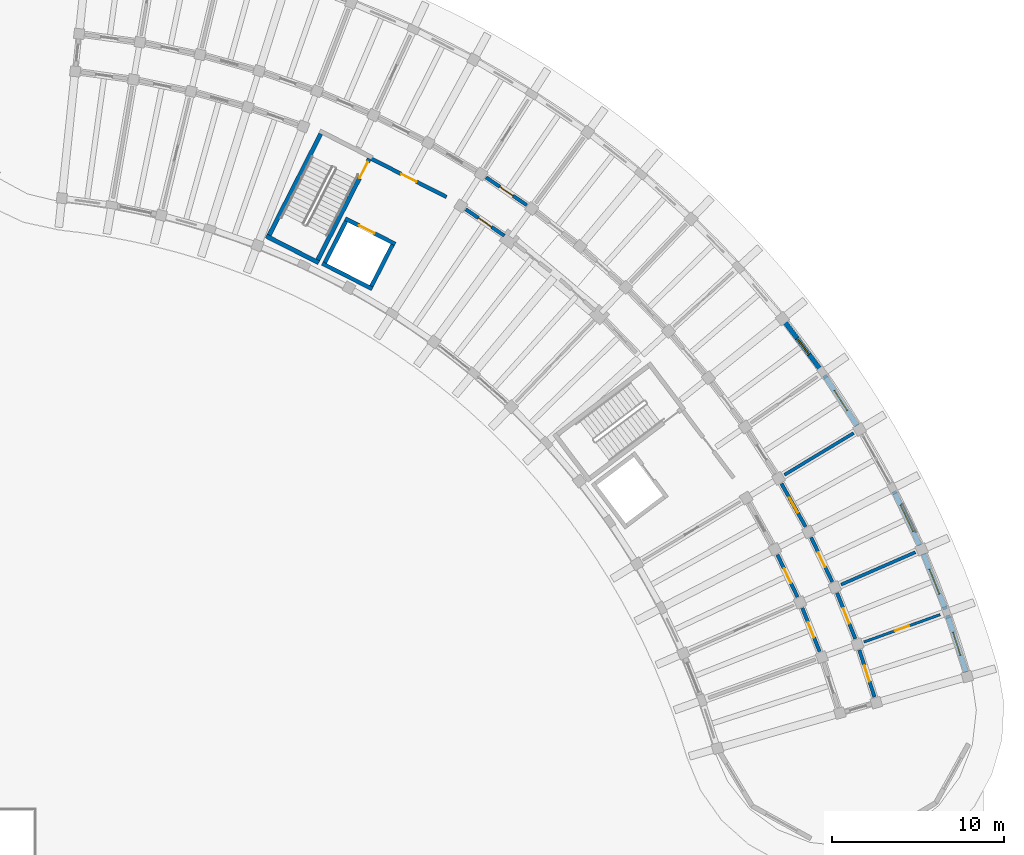
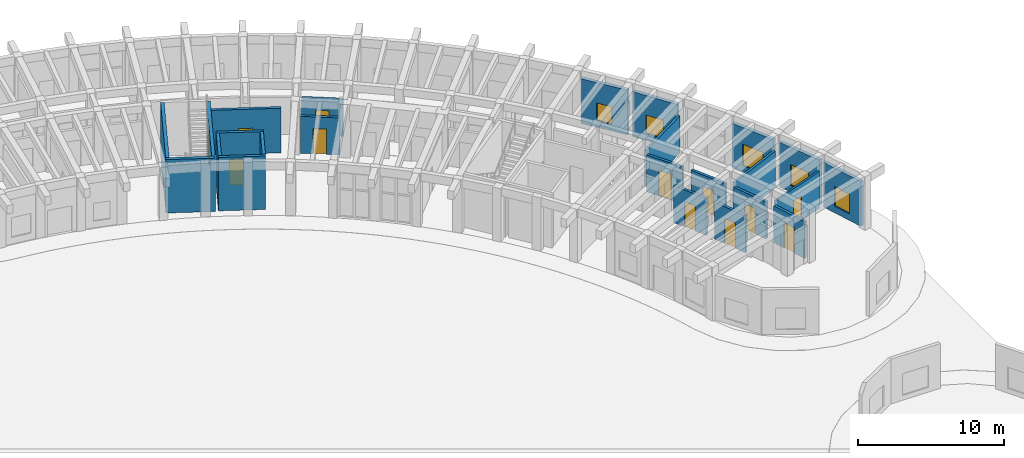
# One storey, part 106 of 132: 24 walls, 12 doors, 5 windows, 17 openings.
"""IFC4 building model written with IfcOpenShell, lengths in metres."""

from ifc_helpers import new_model, si_unit, direction, frame, frame_2d, origin, place, context, subcontext, project, spatial, rectangle, extrude, material, layer, layer_set, type_object, element, fill, save


model = new_model("IFC4")

# Units and contexts
model_context = context("Model", 3, precision=1e-05, world=origin(), true_north=direction((0.0, 1.0)))
body_context = subcontext(model_context, "Body", "Model", "MODEL_VIEW")
ifc_project = project(units=[si_unit("LENGTHUNIT", "METRE"), si_unit("AREAUNIT", "SQUARE_METRE"), si_unit("VOLUMEUNIT", "CUBIC_METRE"), si_unit("PLANEANGLEUNIT", "RADIAN"), si_unit("MASSUNIT", "GRAM", prefix="KILO")], contexts=[model_context])

# Site, building, storey
site_placement = place(None, origin())
site = spatial("IfcSite", under=ifc_project, at=site_placement, CompositionType="ELEMENT")
building_placement = place(site_placement, origin())
building = spatial("IfcBuilding", under=site, at=building_placement, Name="Tanwirah Colonnade Gardens", CompositionType="ELEMENT")
storey_placement = place(building_placement, origin())
storey = spatial("IfcBuildingStorey", under=building, at=storey_placement, Name="L00", CompositionType="ELEMENT", Elevation=0.0)

# Wall, opening, window
ifc_material_1 = material(Name="Limestone architectural precast concrete C40/50", Category="masonry")
ifc_layer_1 = layer(ifc_material_1, 0.27001953125)
ifc_layer_set_1 = layer_set([ifc_layer_1], Name="Limestone architectural precast concrete C40/50")
wall_type_1 = type_object("IfcWallType", Name="EW-PC270", PredefinedType="SOLIDWALL", material=ifc_layer_set_1)
wall_1_placement = place(storey_placement, frame((178.16015625, 76.87109375, 0.0), z_axis=(0.0, 0.0, 1.0), x_axis=(-0.307173119512, 0.951653652675, 0.0)))
wall_1 = element("IfcWall", 1, at=wall_1_placement, inside=storey, type_object=wall_type_1, Name="Block B L00 OUT Precast Facade Wall 0", PredefinedType="SOLIDWALL", context=body_context, shape_type="SweptSolid", body=[
    extrude(rectangle(XDim=3.4755859375, YDim=0.27001953125, at=frame_2d((1.73779296875, 0.0))), origin(), (0.0, 0.0, 1.0), 3.7548828125),
])
opening_1_placement = place(wall_1_placement, frame((1.037841796875, 0.0, 0.550048828125)))
opening_1 = element("IfcOpeningElement", 2, at=opening_1_placement, cuts=wall_1, Name="Opening WIN-T06", PredefinedType="OPENING", context=body_context, shape_type="SweptSolid", body=[
    extrude(rectangle(XDim=1.39990234375, YDim=1.64990234375, at=frame_2d((0.699951171875, 0.824951171875))), frame((0.0, 0.14501953125, 0.0), z_axis=(0.0, -1.0, 0.0), x_axis=(1.0, 0.0, 0.0)), (0.0, 0.0, 1.0), 0.2900390625),
])
ifc_material_2 = material(Name="Thermally broken bronze aluminium and solar low-E double glazing", Category="aluminium")
window_type_1 = type_object("IfcWindowType", Name="WIN-T06", PartitioningType="DOUBLE_PANEL_VERTICAL", PredefinedType="WINDOW", material=ifc_material_2)
window_1_placement = place(opening_1_placement, origin())
window_1 = element("IfcWindow", 3, at=window_1_placement, inside=storey, type_object=window_type_1, Name="Facade window B-L00-OUT-00", OverallHeight=1.64990234375, OverallWidth=1.39990234375, PartitioningType="SINGLE_PANEL", PredefinedType="WINDOW", context=body_context, shape_type="SweptSolid", body=[
    extrude(rectangle(XDim=1.39990234375, YDim=1.64990234375, at=frame_2d((0.699951171875, 0.824951171875))), frame((0.0, 0.030029296875, 0.0), z_axis=(0.0, -1.0, 0.0), x_axis=(1.0, 0.0, 0.0)), (0.0, 0.0, 1.0), 0.06005859375),
])
fill(opening_1, window_1)

wall_2_placement = place(storey_placement, frame((176.970703125, 80.517333984375, 0.0), z_axis=(0.0, 0.0, 1.0), x_axis=(-0.369185522755, 0.929355717574, 0.0)))
wall_2 = element("IfcWall", 4, at=wall_2_placement, inside=storey, type_object=wall_type_1, Name="Block B L00 OUT Precast Facade Wall 1", PredefinedType="SOLIDWALL", context=body_context, shape_type="SweptSolid", body=[
    extrude(rectangle(XDim=3.475830078125, YDim=0.27001953125, at=frame_2d((1.73779296875, 0.0))), origin(), (0.0, 0.0, 1.0), 3.7548828125),
])
opening_2_placement = place(wall_2_placement, frame((0.962890625, 0.0, 0.550048828125)))
opening_2 = element("IfcOpeningElement", 5, at=opening_2_placement, cuts=wall_2, Name="Opening WIN-T09", PredefinedType="OPENING", context=body_context, shape_type="SweptSolid", body=[
    extrude(rectangle(XDim=1.550048828125, YDim=1.75, at=frame_2d((0.77490234375, 0.875))), frame((0.0, 0.14501953125, 0.0), z_axis=(0.0, -1.0, 0.0), x_axis=(1.0, 0.0, 0.0)), (0.0, 0.0, 1.0), 0.2900390625),
])
window_type_2 = type_object("IfcWindowType", Name="WIN-T09", PartitioningType="DOUBLE_PANEL_VERTICAL", PredefinedType="WINDOW", material=ifc_material_2)
window_2_placement = place(opening_2_placement, origin())
window_2 = element("IfcWindow", 6, at=window_2_placement, inside=storey, type_object=window_type_2, Name="Facade window B-L00-OUT-01", OverallHeight=1.75, OverallWidth=1.550048828125, PartitioningType="SINGLE_PANEL", PredefinedType="WINDOW", context=body_context, shape_type="SweptSolid", body=[
    extrude(rectangle(XDim=1.550048828125, YDim=1.75, at=frame_2d((0.77490234375, 0.875))), frame((0.0, 0.030029296875, 0.0), z_axis=(0.0, -1.0, 0.0), x_axis=(1.0, 0.0, 0.0)), (0.0, 0.0, 1.0), 0.06005859375),
])
fill(opening_2, window_2)

wall_3_placement = place(storey_placement, frame((175.471923828125, 84.2421875, 0.0), z_axis=(0.0, 0.0, 1.0), x_axis=(-0.429652732924, 0.902994202136, 0.0)))
wall_3 = element("IfcWall", 7, at=wall_3_placement, inside=storey, type_object=wall_type_1, Name="Block B L00 OUT Precast Facade Wall 2", PredefinedType="SOLIDWALL", context=body_context, shape_type="SweptSolid", body=[
    extrude(rectangle(XDim=3.475830078125, YDim=0.27001953125, at=frame_2d((1.73779296875, 0.0))), origin(), (0.0, 0.0, 1.0), 3.7548828125),
])
opening_3_placement = place(wall_3_placement, frame((0.8876953125, 0.0, 0.550048828125)))
opening_3 = element("IfcOpeningElement", 8, at=opening_3_placement, cuts=wall_3, Name="Opening WIN-T12", PredefinedType="OPENING", context=body_context, shape_type="SweptSolid", body=[
    extrude(rectangle(XDim=1.699951171875, YDim=1.800048828125, at=frame_2d((0.85009765625, 0.89990234375))), frame((0.0, 0.14501953125, 0.0), z_axis=(0.0, -1.0, 0.0), x_axis=(1.0, 0.0, 0.0)), (0.0, 0.0, 1.0), 0.2900390625),
])
window_type_3 = type_object("IfcWindowType", Name="WIN-T12", PartitioningType="TRIPLE_PANEL_VERTICAL", PredefinedType="WINDOW", material=ifc_material_2)
window_3_placement = place(opening_3_placement, origin())
window_3 = element("IfcWindow", 9, at=window_3_placement, inside=storey, type_object=window_type_3, Name="Facade window B-L00-OUT-02", OverallHeight=1.800048828125, OverallWidth=1.699951171875, PartitioningType="SINGLE_PANEL", PredefinedType="WINDOW", context=body_context, shape_type="SweptSolid", body=[
    extrude(rectangle(XDim=1.699951171875, YDim=1.800048828125, at=frame_2d((0.85009765625, 0.89990234375))), frame((0.0, 0.030029296875, 0.0), z_axis=(0.0, -1.0, 0.0), x_axis=(1.0, 0.0, 0.0)), (0.0, 0.0, 1.0), 0.06005859375),
])
fill(opening_3, window_3)

wall_4_placement = place(storey_placement, frame((171.837646484375, 91.19580078125, 0.0), z_axis=(0.0, 0.0, 1.0), x_axis=(-0.544642658217, 0.838668215, 0.0)))
wall_4 = element("IfcWall", 10, at=wall_4_placement, inside=storey, type_object=wall_type_1, Name="Block B L00 OUT Precast Facade Wall 4", PredefinedType="SOLIDWALL", context=body_context, shape_type="SweptSolid", body=[
    extrude(rectangle(XDim=3.475830078125, YDim=0.27001953125, at=frame_2d((1.73779296875, 0.0))), origin(), (0.0, 0.0, 1.0), 3.7548828125),
])
opening_4_placement = place(wall_4_placement, frame((1.0478515625, 0.0, 0.550048828125)))
opening_4 = element("IfcOpeningElement", 11, at=opening_4_placement, cuts=wall_4, Name="Opening WIN-T18", PredefinedType="OPENING", context=body_context, shape_type="SweptSolid", body=[
    extrude(rectangle(XDim=1.3798828125, YDim=1.56005859375, at=frame_2d((0.68994140625, 0.780029296875))), frame((0.0, 0.14501953125, 0.0), z_axis=(0.0, -1.0, 0.0), x_axis=(1.0, 0.0, 0.0)), (0.0, 0.0, 1.0), 0.2900390625),
])
window_type_4 = type_object("IfcWindowType", Name="WIN-T18", PartitioningType="DOUBLE_PANEL_VERTICAL", PredefinedType="WINDOW", material=ifc_material_2)
window_4_placement = place(opening_4_placement, origin())
window_4 = element("IfcWindow", 12, at=window_4_placement, inside=storey, type_object=window_type_4, Name="Facade window B-L00-OUT-04", OverallHeight=1.56005859375, OverallWidth=1.3798828125, PartitioningType="SINGLE_PANEL", PredefinedType="WINDOW", context=body_context, shape_type="SweptSolid", body=[
    extrude(rectangle(XDim=1.3798828125, YDim=1.56005859375, at=frame_2d((0.68994140625, 0.780029296875))), frame((0.0, 0.030029296875, 0.0), z_axis=(0.0, -1.0, 0.0), x_axis=(1.0, 0.0, 0.0)), (0.0, 0.0, 1.0), 0.06005859375),
])
fill(opening_4, window_4)

wall_5_placement = place(storey_placement, frame((169.73876953125, 94.406005859375, 0.0), z_axis=(0.0, 0.0, 1.0), x_axis=(-0.598684233613, 0.800985136206, 0.0)))
wall_5 = element("IfcWall", 13, at=wall_5_placement, inside=storey, type_object=wall_type_1, Name="Block B L00 OUT Precast Facade Wall 5", PredefinedType="SOLIDWALL", context=body_context, shape_type="SweptSolid", body=[
    extrude(rectangle(XDim=3.4755859375, YDim=0.27001953125, at=frame_2d((1.73779296875, 0.0))), origin(), (0.0, 0.0, 1.0), 3.7548828125),
])
opening_5_placement = place(wall_5_placement, frame((1.15771484375, 0.0, 0.550048828125)))
opening_5 = element("IfcOpeningElement", 14, at=opening_5_placement, cuts=wall_5, Name="Opening WIN-U01", PredefinedType="OPENING", context=body_context, shape_type="SweptSolid", body=[
    extrude(rectangle(XDim=1.159912109375, YDim=1.485107421875, at=frame_2d((0.580078125, 0.74267578125))), frame((0.0, 0.14501953125, 0.0), z_axis=(0.0, -1.0, 0.0), x_axis=(1.0, 0.0, 0.0)), (0.0, 0.0, 1.0), 0.2900390625),
])
window_type_5 = type_object("IfcWindowType", Name="WIN-U01", PartitioningType="DOUBLE_PANEL_VERTICAL", PredefinedType="WINDOW", material=ifc_material_2)
window_5_placement = place(opening_5_placement, origin())
window_5 = element("IfcWindow", 15, at=window_5_placement, inside=storey, type_object=window_type_5, Name="Facade window B-L00-OUT-05", OverallHeight=1.485107421875, OverallWidth=1.159912109375, PartitioningType="SINGLE_PANEL", PredefinedType="WINDOW", context=body_context, shape_type="SweptSolid", body=[
    extrude(rectangle(XDim=1.159912109375, YDim=1.485107421875, at=frame_2d((0.580078125, 0.74267578125))), frame((0.0, 0.030029296875, 0.0), z_axis=(0.0, -1.0, 0.0), x_axis=(1.0, 0.0, 0.0)), (0.0, 0.0, 1.0), 0.06005859375),
])
fill(opening_5, window_5)

# Wall, opening, door
ifc_material_3 = material(Name="Precast concrete C40/50", Category="concrete")
ifc_layer_2 = layer(ifc_material_3, 0.205078125)
ifc_layer_set_2 = layer_set([ifc_layer_2], Name="Precast concrete C40/50")
wall_type_2 = type_object("IfcWallType", Name="IW-CORR205", PredefinedType="PARTITIONING", material=ifc_layer_set_2)
wall_6_placement = place(storey_placement, frame((172.8486328125, 75.431396484375, 0.0), z_axis=(0.0, 0.0, 1.0), x_axis=(-0.307157249761, 0.951658774939, 0.0)))
wall_6 = element("IfcWall", 16, at=wall_6_placement, inside=storey, type_object=wall_type_2, Name="Block B L00 OUT Corridor Wall 0", PredefinedType="PARTITIONING", context=body_context, shape_type="SweptSolid", body=[
    extrude(rectangle(XDim=2.863037109375, YDim=0.205078125, at=frame_2d((1.431640625, 0.0))), origin(), (0.0, 0.0, 1.0), 3.10009765625),
])
opening_6_placement = place(wall_6_placement, frame((0.946533203125, 0.0, 0.0)))
opening_6 = element("IfcOpeningElement", 17, at=opening_6_placement, cuts=wall_6, Name="Opening L00-AD792", PredefinedType="OPENING", context=body_context, shape_type="SweptSolid", body=[
    extrude(rectangle(XDim=0.969970703125, YDim=2.14990234375, at=frame_2d((0.48486328125, 1.074951171875))), frame((0.0, 0.112548828125, 0.0), z_axis=(0.0, -1.0, 0.0), x_axis=(1.0, 0.0, 0.0)), (0.0, 0.0, 1.0), 0.22509765625),
])
ifc_material_4 = material(Name="Solid oak fire-resisting apartment entrance door")
door_type_1 = type_object("IfcDoorType", Name="ID-FLT097", OperationType="NOTDEFINED", PredefinedType="DOOR", material=ifc_material_4)
door_1_placement = place(opening_6_placement, origin())
door_1 = element("IfcDoor", 18, at=door_1_placement, inside=storey, type_object=door_type_1, Name="Apartment corridor door L00-AD792", OperationType="SINGLE_SWING_LEFT", OverallHeight=2.14990234375, OverallWidth=0.969970703125, PredefinedType="DOOR", context=body_context, shape_type="SweptSolid", body=[
    extrude(rectangle(XDim=0.969970703125, YDim=2.14990234375, at=frame_2d((0.48486328125, 1.074951171875))), frame((0.0, 0.02490234375, 0.0), z_axis=(0.0, -1.0, 0.0), x_axis=(1.0, 0.0, 0.0)), (0.0, 0.0, 1.0), 0.050048828125),
])
fill(opening_6, door_1)

wall_7_placement = place(storey_placement, frame((171.732421875, 78.814208984375, 0.0), z_axis=(0.0, 0.0, 1.0), x_axis=(-0.369213832442, 0.929344471083, 0.0)))
wall_7 = element("IfcWall", 19, at=wall_7_placement, inside=storey, type_object=wall_type_2, Name="Block B L00 OUT Corridor Wall 1", PredefinedType="PARTITIONING", context=body_context, shape_type="SweptSolid", body=[
    extrude(rectangle(XDim=2.86328125, YDim=0.205078125, at=frame_2d((1.431640625, 0.0))), origin(), (0.0, 0.0, 1.0), 3.10009765625),
])
opening_7_placement = place(wall_7_placement, frame((0.95654296875, 0.0, 0.0)))
opening_7 = element("IfcOpeningElement", 20, at=opening_7_placement, cuts=wall_7, Name="Opening L00-AD795", PredefinedType="OPENING", context=body_context, shape_type="SweptSolid", body=[
    extrude(rectangle(XDim=0.949951171875, YDim=2.1298828125, at=frame_2d((0.47509765625, 1.06494140625))), frame((0.0, 0.112548828125, 0.0), z_axis=(0.0, -1.0, 0.0), x_axis=(1.0, 0.0, 0.0)), (0.0, 0.0, 1.0), 0.22509765625),
])
door_type_2 = type_object("IfcDoorType", Name="ID-FLT095", OperationType="NOTDEFINED", PredefinedType="DOOR", material=ifc_material_4)
door_2_placement = place(opening_7_placement, origin())
door_2 = element("IfcDoor", 21, at=door_2_placement, inside=storey, type_object=door_type_2, Name="Apartment corridor door L00-AD795", OperationType="SINGLE_SWING_RIGHT", OverallHeight=2.1298828125, OverallWidth=0.949951171875, PredefinedType="DOOR", context=body_context, shape_type="SweptSolid", body=[
    extrude(rectangle(XDim=0.949951171875, YDim=2.1298828125, at=frame_2d((0.47509765625, 1.06494140625))), frame((0.0, 0.02490234375, 0.0), z_axis=(0.0, -1.0, 0.0), x_axis=(1.0, 0.0, 0.0)), (0.0, 0.0, 1.0), 0.050048828125),
])
fill(opening_7, door_2)

wall_8_placement = place(storey_placement, frame((169.662353515625, 78.06982421875, 0.0), z_axis=(0.0, 0.0, 1.0), x_axis=(-0.369237170461, 0.929335198919, 0.0)))
wall_8 = element("IfcWall", 22, at=wall_8_placement, inside=storey, type_object=wall_type_2, Name="Block B L00 IN Corridor Wall 1", PredefinedType="PARTITIONING", context=body_context, shape_type="SweptSolid", body=[
    extrude(rectangle(XDim=2.71826171875, YDim=0.205078125, at=frame_2d((1.359130859375, 0.0))), origin(), (0.0, 0.0, 1.0), 3.10009765625),
])
opening_8_placement = place(wall_8_placement, frame((0.884033203125, 0.0, 0.0)))
opening_8 = element("IfcOpeningElement", 23, at=opening_8_placement, cuts=wall_8, Name="Opening L00-AD796", PredefinedType="OPENING", context=body_context, shape_type="SweptSolid", body=[
    extrude(rectangle(XDim=0.949951171875, YDim=2.1298828125, at=frame_2d((0.47509765625, 1.06494140625))), frame((0.0, 0.112548828125, 0.0), z_axis=(0.0, -1.0, 0.0), x_axis=(1.0, 0.0, 0.0)), (0.0, 0.0, 1.0), 0.22509765625),
])
door_3_placement = place(opening_8_placement, origin())
door_3 = element("IfcDoor", 24, at=door_3_placement, inside=storey, type_object=door_type_2, Name="Apartment corridor door L00-AD796", OperationType="SINGLE_SWING_LEFT", OverallHeight=2.1298828125, OverallWidth=0.949951171875, PredefinedType="DOOR", context=body_context, shape_type="SweptSolid", body=[
    extrude(rectangle(XDim=0.949951171875, YDim=2.1298828125, at=frame_2d((0.47509765625, 1.06494140625))), frame((0.0, 0.02490234375, 0.0), z_axis=(0.0, -1.0, 0.0), x_axis=(1.0, 0.0, 0.0)), (0.0, 0.0, 1.0), 0.050048828125),
])
fill(opening_8, door_3)

wall_9_placement = place(storey_placement, frame((170.395751953125, 82.116455078125, 0.0), z_axis=(0.0, 0.0, 1.0), x_axis=(-0.429595933416, 0.90302122566, 0.0)))
wall_9 = element("IfcWall", 25, at=wall_9_placement, inside=storey, type_object=wall_type_2, Name="Block B L00 OUT Corridor Wall 2", PredefinedType="PARTITIONING", context=body_context, shape_type="SweptSolid", body=[
    extrude(rectangle(XDim=2.863037109375, YDim=0.205078125, at=frame_2d((1.431640625, 0.0))), origin(), (0.0, 0.0, 1.0), 3.10009765625),
])
opening_9_placement = place(wall_9_placement, frame((0.966552734375, 0.0, 0.0)))
opening_9 = element("IfcOpeningElement", 26, at=opening_9_placement, cuts=wall_9, Name="Opening L00-AD798", PredefinedType="OPENING", context=body_context, shape_type="SweptSolid", body=[
    extrude(rectangle(XDim=0.929931640625, YDim=2.1201171875, at=frame_2d((0.46484375, 1.06005859375))), frame((0.0, 0.112548828125, 0.0), z_axis=(0.0, -1.0, 0.0), x_axis=(1.0, 0.0, 0.0)), (0.0, 0.0, 1.0), 0.22509765625),
])
door_type_3 = type_object("IfcDoorType", Name="ID-FLT093", OperationType="NOTDEFINED", PredefinedType="DOOR", material=ifc_material_4)
door_4_placement = place(opening_9_placement, origin())
door_4 = element("IfcDoor", 27, at=door_4_placement, inside=storey, type_object=door_type_3, Name="Apartment corridor door L00-AD798", OperationType="SINGLE_SWING_LEFT", OverallHeight=2.1201171875, OverallWidth=0.929931640625, PredefinedType="DOOR", context=body_context, shape_type="SweptSolid", body=[
    extrude(rectangle(XDim=0.929931640625, YDim=2.1201171875, at=frame_2d((0.46484375, 1.06005859375))), frame((0.0, 0.02490234375, 0.0), z_axis=(0.0, -1.0, 0.0), x_axis=(1.0, 0.0, 0.0)), (0.0, 0.0, 1.0), 0.050048828125),
])
fill(opening_9, door_4)

wall_10_placement = place(storey_placement, frame((168.379150390625, 81.2373046875, 0.0), z_axis=(0.0, 0.0, 1.0), x_axis=(-0.429630211913, 0.90300491749, 0.0)))
wall_10 = element("IfcWall", 28, at=wall_10_placement, inside=storey, type_object=wall_type_2, Name="Block B L00 IN Corridor Wall 2", PredefinedType="PARTITIONING", context=body_context, shape_type="SweptSolid", body=[
    extrude(rectangle(XDim=2.718017578125, YDim=0.205078125, at=frame_2d((1.35888671875, 0.0))), origin(), (0.0, 0.0, 1.0), 3.10009765625),
])
opening_10_placement = place(wall_10_placement, frame((0.89404296875, 0.0, 0.0)))
opening_10 = element("IfcOpeningElement", 29, at=opening_10_placement, cuts=wall_10, Name="Opening L00-AD799", PredefinedType="OPENING", context=body_context, shape_type="SweptSolid", body=[
    extrude(rectangle(XDim=0.929931640625, YDim=2.1201171875, at=frame_2d((0.46484375, 1.06005859375))), frame((0.0, 0.112548828125, 0.0), z_axis=(0.0, -1.0, 0.0), x_axis=(1.0, 0.0, 0.0)), (0.0, 0.0, 1.0), 0.22509765625),
])
door_5_placement = place(opening_10_placement, origin())
door_5 = element("IfcDoor", 30, at=door_5_placement, inside=storey, type_object=door_type_3, Name="Apartment corridor door L00-AD799", OperationType="SINGLE_SWING_RIGHT", OverallHeight=2.1201171875, OverallWidth=0.929931640625, PredefinedType="DOOR", context=body_context, shape_type="SweptSolid", body=[
    extrude(rectangle(XDim=0.929931640625, YDim=2.1201171875, at=frame_2d((0.46484375, 1.06005859375))), frame((0.0, 0.02490234375, 0.0), z_axis=(0.0, -1.0, 0.0), x_axis=(1.0, 0.0, 0.0)), (0.0, 0.0, 1.0), 0.050048828125),
])
fill(opening_10, door_5)

wall_11_placement = place(storey_placement, frame((168.844482421875, 85.323486328125, 0.0), z_axis=(0.0, 0.0, 1.0), x_axis=(-0.48817487918, 0.872745832037, 0.0)))
wall_11 = element("IfcWall", 31, at=wall_11_placement, inside=storey, type_object=wall_type_2, Name="Block B L00 OUT Corridor Wall 3", PredefinedType="PARTITIONING", context=body_context, shape_type="SweptSolid", body=[
    extrude(rectangle(XDim=2.863037109375, YDim=0.205078125, at=frame_2d((1.431640625, 0.0))), origin(), (0.0, 0.0, 1.0), 3.10009765625),
])
opening_11_placement = place(wall_11_placement, frame((0.9365234375, 0.0, 0.0)))
opening_11 = element("IfcOpeningElement", 32, at=opening_11_placement, cuts=wall_11, Name="Opening L00-AD800", PredefinedType="OPENING", context=body_context, shape_type="SweptSolid", body=[
    extrude(rectangle(XDim=0.989990234375, YDim=2.159912109375, at=frame_2d((0.4951171875, 1.080078125))), frame((0.0, 0.112548828125, 0.0), z_axis=(0.0, -1.0, 0.0), x_axis=(1.0, 0.0, 0.0)), (0.0, 0.0, 1.0), 0.22509765625),
])
door_type_4 = type_object("IfcDoorType", Name="ID-FLT099", OperationType="NOTDEFINED", PredefinedType="DOOR", material=ifc_material_4)
door_6_placement = place(opening_11_placement, origin())
door_6 = element("IfcDoor", 33, at=door_6_placement, inside=storey, type_object=door_type_4, Name="Apartment corridor door L00-AD800", OperationType="SINGLE_SWING_RIGHT", OverallHeight=2.159912109375, OverallWidth=0.989990234375, PredefinedType="DOOR", context=body_context, shape_type="SweptSolid", body=[
    extrude(rectangle(XDim=0.989990234375, YDim=2.159912109375, at=frame_2d((0.4951171875, 1.080078125))), frame((0.0, 0.02490234375, 0.0), z_axis=(0.0, -1.0, 0.0), x_axis=(1.0, 0.0, 0.0)), (0.0, 0.0, 1.0), 0.050048828125),
])
fill(opening_11, door_6)

wall_12_placement = place(storey_placement, frame((152.650146484375, 104.001220703125, 0.0), z_axis=(0.0, 0.0, 1.0), x_axis=(-0.825779671787, 0.563992848947, 0.0)))
wall_12 = element("IfcWall", 34, at=wall_12_placement, inside=storey, type_object=wall_type_2, Name="Block B L00 OUT Corridor Wall 10", PredefinedType="PARTITIONING", context=body_context, shape_type="SweptSolid", body=[
    extrude(rectangle(XDim=2.863037109375, YDim=0.205078125, at=frame_2d((1.431640625, 0.0))), origin(), (0.0, 0.0, 1.0), 3.10009765625),
])
opening_12_placement = place(wall_12_placement, frame((0.966552734375, 0.0, 0.0)))
opening_12 = element("IfcOpeningElement", 35, at=opening_12_placement, cuts=wall_12, Name="Opening L00-AD815", PredefinedType="OPENING", context=body_context, shape_type="SweptSolid", body=[
    extrude(rectangle(XDim=0.929931640625, YDim=2.1201171875, at=frame_2d((0.46484375, 1.06005859375))), frame((0.0, 0.112548828125, 0.0), z_axis=(0.0, -1.0, 0.0), x_axis=(1.0, 0.0, 0.0)), (0.0, 0.0, 1.0), 0.22509765625),
])
door_7_placement = place(opening_12_placement, origin())
door_7 = element("IfcDoor", 36, at=door_7_placement, inside=storey, type_object=door_type_3, Name="Apartment corridor door L00-AD815", OperationType="SINGLE_SWING_LEFT", OverallHeight=2.1201171875, OverallWidth=0.929931640625, PredefinedType="DOOR", context=body_context, shape_type="SweptSolid", body=[
    extrude(rectangle(XDim=0.929931640625, YDim=2.1201171875, at=frame_2d((0.46484375, 1.06005859375))), frame((0.0, 0.02490234375, 0.0), z_axis=(0.0, -1.0, 0.0), x_axis=(1.0, 0.0, 0.0)), (0.0, 0.0, 1.0), 0.050048828125),
])
fill(opening_12, door_7)

wall_13_placement = place(storey_placement, frame((151.35009765625, 102.226318359375, 0.0), z_axis=(0.0, 0.0, 1.0), x_axis=(-0.825752009056, 0.56403334967, 0.0)))
wall_13 = element("IfcWall", 37, at=wall_13_placement, inside=storey, type_object=wall_type_2, Name="Block B L00 IN Corridor Wall 10", PredefinedType="PARTITIONING", context=body_context, shape_type="SweptSolid", body=[
    extrude(rectangle(XDim=2.71826171875, YDim=0.205078125, at=frame_2d((1.359130859375, 0.0))), origin(), (0.0, 0.0, 1.0), 3.10009765625),
])
opening_13_placement = place(wall_13_placement, frame((0.89404296875, 0.0, 0.0)))
opening_13 = element("IfcOpeningElement", 38, at=opening_13_placement, cuts=wall_13, Name="Opening L00-AD816", PredefinedType="OPENING", context=body_context, shape_type="SweptSolid", body=[
    extrude(rectangle(XDim=0.929931640625, YDim=2.1201171875, at=frame_2d((0.46484375, 1.06005859375))), frame((0.0, 0.112548828125, 0.0), z_axis=(0.0, -1.0, 0.0), x_axis=(1.0, 0.0, 0.0)), (0.0, 0.0, 1.0), 0.22509765625),
])
door_8_placement = place(opening_13_placement, origin())
door_8 = element("IfcDoor", 39, at=door_8_placement, inside=storey, type_object=door_type_3, Name="Apartment corridor door L00-AD816", OperationType="SINGLE_SWING_RIGHT", OverallHeight=2.1201171875, OverallWidth=0.929931640625, PredefinedType="DOOR", context=body_context, shape_type="SweptSolid", body=[
    extrude(rectangle(XDim=0.929931640625, YDim=2.1201171875, at=frame_2d((0.46484375, 1.06005859375))), frame((0.0, 0.02490234375, 0.0), z_axis=(0.0, -1.0, 0.0), x_axis=(1.0, 0.0, 0.0)), (0.0, 0.0, 1.0), 0.050048828125),
])
fill(opening_13, door_8)

# Walls
ifc_layer_3 = layer(ifc_material_3, 0.18505859375)
ifc_layer_set_3 = layer_set([ifc_layer_3], Name="Precast concrete C40/50")
wall_type_3 = type_object("IfcWallType", Name="IW-DEM185", PredefinedType="PARTITIONING", material=ifc_layer_set_3)
for number, where, z_axis, x_axis, name in (
    (40, (170.912841796875, 81.960205078125, 0.0), (0.0, 0.0, 1.0), (0.916663273961, 0.39966040856, 0.0), "Block B L00 Radial Partition 1"),
    (41, (167.618408203125, 88.334228515625, 0.0), (0.0, 0.0, 1.0), (0.856165473929, 0.516701733356, 0.0), "Block B L00 Radial Partition 3"),
):
    element("IfcWall", number, at=place(storey_placement, frame(where, z_axis=z_axis, x_axis=x_axis)), inside=storey, type_object=wall_type_3, Name=name, PredefinedType="PARTITIONING", context=body_context, shape_type="SweptSolid", body=[
        extrude(rectangle(XDim=4.699951171875, YDim=0.18505859375, at=frame_2d((2.35009765625, 0.0))), origin(), (0.0, 0.0, 1.0), 3.10009765625),
    ])

# Wall, opening, door
ifc_material_5 = material(Name="Autoclaved aerated masonry blockwork", Category="masonry")
ifc_layer_4 = layer(ifc_material_5, 0.219970703125)
ifc_layer_set_4 = layer_set([ifc_layer_4], Name="Autoclaved aerated masonry blockwork")
wall_type_4 = type_object("IfcWallType", Name="IW-FFL220", PredefinedType="PARTITIONING", material=ifc_layer_set_4)
wall_14_placement = place(storey_placement, frame((143.624755859375, 106.6962890625, 0.0), z_axis=(0.0, 0.0, 1.0), x_axis=(0.891003372311, -0.453996685595, 0.0)))
wall_14 = element("IfcWall", 42, at=wall_14_placement, inside=storey, type_object=wall_type_4, Name="CORE-B2 L00 Enclosed Lobby Fire Wall", PredefinedType="PARTITIONING", context=body_context, shape_type="SweptSolid", body=[
    extrude(rectangle(XDim=4.900146484375, YDim=0.219970703125, at=frame_2d((2.4501953125, 0.0))), origin(), (0.0, 0.0, 1.0), 3.739990234375),
])
opening_14_placement = place(wall_14_placement, frame((1.949951171875, 0.0, 0.0)))
opening_14 = element("IfcOpeningElement", 43, at=opening_14_placement, cuts=wall_14, Name="Opening L00-LD108", PredefinedType="OPENING", context=body_context, shape_type="SweptSolid", body=[
    extrude(rectangle(XDim=0.97998046875, YDim=2.139892578125, at=frame_2d((0.489990234375, 1.06982421875))), frame((0.0, 0.119873046875, 0.0), z_axis=(0.0, -1.0, 0.0), x_axis=(1.0, 0.0, 0.0)), (0.0, 0.0, 1.0), 0.239990234375),
])
ifc_material_6 = material(Name="Acoustic fire-resisting lobby door")
door_type_5 = type_object("IfcDoorType", Name="ID-FFL098", OperationType="NOTDEFINED", PredefinedType="DOOR", material=ifc_material_6)
door_9_placement = place(opening_14_placement, origin())
door_9 = element("IfcDoor", 44, at=door_9_placement, inside=storey, type_object=door_type_5, Name="CORE-B2 L00 Lobby Fire Door L00-LD108", OperationType="SINGLE_SWING_LEFT", OverallHeight=2.139892578125, OverallWidth=0.97998046875, PredefinedType="DOOR", context=body_context, shape_type="SweptSolid", body=[
    extrude(rectangle(XDim=0.97998046875, YDim=2.139892578125, at=frame_2d((0.489990234375, 1.06982421875))), frame((0.0, 0.02490234375, 0.0), z_axis=(0.0, -1.0, 0.0), x_axis=(1.0, 0.0, 0.0)), (0.0, 0.0, 1.0), 0.050048828125),
])
fill(opening_14, door_9)

ifc_material_7 = material(Name="Water-resistant acoustic plumbing partition")
ifc_layer_5 = layer(ifc_material_7, 0.14990234375)
ifc_layer_set_5 = layer_set([ifc_layer_5], Name="Water-resistant acoustic plumbing partition")
wall_type_5 = type_object("IfcWallType", Name="IW-WET150", PredefinedType="PLUMBINGWALL", material=ifc_layer_set_5)
wall_15_placement = place(storey_placement, frame((172.238037109375, 78.62451171875, 0.0), z_axis=(0.0, 0.0, 1.0), x_axis=(0.941015806044, 0.338362605463, 0.0)))
wall_15 = element("IfcWall", 45, at=wall_15_placement, inside=storey, type_object=wall_type_5, Name="Block B L00 Radial Partition 0", PredefinedType="PLUMBINGWALL", context=body_context, shape_type="SweptSolid", body=[
    extrude(rectangle(XDim=4.7001953125, YDim=0.14990234375, at=frame_2d((2.35009765625, 0.0))), origin(), (0.0, 0.0, 1.0), 3.10009765625),
])
opening_15_placement = place(wall_15_placement, frame((1.919921875, 0.0, 0.0)))
opening_15 = element("IfcOpeningElement", 46, at=opening_15_placement, cuts=wall_15, Name="Opening L00-RD794", PredefinedType="OPENING", context=body_context, shape_type="SweptSolid", body=[
    extrude(rectangle(XDim=0.860107421875, YDim=2.06005859375, at=frame_2d((0.43017578125, 1.030029296875))), frame((0.0, 0.0849609375, 0.0), z_axis=(0.0, -1.0, 0.0), x_axis=(1.0, 0.0, 0.0)), (0.0, 0.0, 1.0), 0.169921875),
])
ifc_material_8 = material(Name="Moisture-resistant bathroom door")
door_type_6 = type_object("IfcDoorType", Name="ID-WET086", OperationType="NOTDEFINED", PredefinedType="DOOR", material=ifc_material_8)
door_10_placement = place(opening_15_placement, origin())
door_10 = element("IfcDoor", 47, at=door_10_placement, inside=storey, type_object=door_type_6, Name="Internal apartment door L00-RD794", OperationType="SINGLE_SWING_LEFT", OverallHeight=2.06005859375, OverallWidth=0.860107421875, PredefinedType="DOOR", context=body_context, shape_type="SweptSolid", body=[
    extrude(rectangle(XDim=0.860107421875, YDim=2.06005859375, at=frame_2d((0.43017578125, 1.030029296875))), frame((0.0, 0.02490234375, 0.0), z_axis=(0.0, -1.0, 0.0), x_axis=(1.0, 0.0, 0.0)), (0.0, 0.0, 1.0), 0.050048828125),
])
fill(opening_15, door_10)

# Walls
ifc_material_9 = material(Name="Concrete C45/55", Category="concrete")
ifc_layer_6 = layer(ifc_material_9, 0.25)
ifc_layer_set_6 = layer_set([ifc_layer_6], Name="Concrete C45/55")
wall_type_6 = type_object("IfcWallType", Name="SW-CORE250", PredefinedType="SHEAR", material=ifc_layer_set_6)
wall_16_placement = place(storey_placement, frame((140.68408203125, 108.138671875, 0.0), z_axis=(0.0, 0.0, 1.0), x_axis=(-0.453992276384, -0.891005618941, 0.0)))
element("IfcWall", 48, at=wall_16_placement, inside=storey, type_object=wall_type_6, Name="CORE-B2 L00 Stair Shaft Shear Wall LEFT", PredefinedType="SHEAR", context=body_context, shape_type="SweptSolid", body=[
    extrude(rectangle(XDim=6.599853515625, YDim=0.25, at=frame_2d((3.2998046875, 0.0))), origin(), (0.0, 0.0, 1.0), 4.47998046875),
])
wall_17_placement = place(storey_placement, frame((137.51953125, 102.203369140625, 0.0), z_axis=(0.0, 0.0, 1.0), x_axis=(0.891003540237, -0.453996356025, 0.0)))
element("IfcWall", 49, at=wall_17_placement, inside=storey, type_object=wall_type_6, Name="CORE-B2 L00 Stair Shaft Shear Wall FAR", PredefinedType="SHEAR", context=body_context, shape_type="SweptSolid", body=[
    extrude(rectangle(XDim=3.420166015625, YDim=0.25, at=frame_2d((1.7099609375, 0.0))), origin(), (0.0, 0.0, 1.0), 4.47998046875),
])

# Wall, opening, door
wall_18_placement = place(storey_placement, frame((143.508544921875, 106.699462890625, 0.0), z_axis=(0.0, 0.0, 1.0), x_axis=(-0.453992276384, -0.891005618941, 0.0)))
wall_18 = element("IfcWall", 50, at=wall_18_placement, inside=storey, type_object=wall_type_6, Name="CORE-B2 L00 Stair Shaft Shear Wall RIGHT", PredefinedType="SHEAR", context=body_context, shape_type="SweptSolid", body=[
    extrude(rectangle(XDim=6.599853515625, YDim=0.25, at=frame_2d((3.2998046875, 0.0))), origin(), (0.0, 0.0, 1.0), 4.47998046875),
])
opening_16_placement = place(wall_18_placement, frame((0.219970703125, 0.0, 0.0)))
opening_16 = element("IfcOpeningElement", 51, at=opening_16_placement, cuts=wall_18, Name="Opening L00-SD094", PredefinedType="OPENING", context=body_context, shape_type="SweptSolid", body=[
    extrude(rectangle(XDim=1.050048828125, YDim=2.14990234375, at=frame_2d((0.52490234375, 1.074951171875))), frame((0.0, 0.135009765625, 0.0), z_axis=(0.0, -1.0, 0.0), x_axis=(1.0, 0.0, 0.0)), (0.0, 0.0, 1.0), 0.27001953125),
])
ifc_material_10 = material(Name="Steel fire-resisting stair enclosure door", Category="steel")
door_type_7 = type_object("IfcDoorType", Name="ID-ST105", OperationType="NOTDEFINED", PredefinedType="DOOR", material=ifc_material_10)
door_11_placement = place(opening_16_placement, origin())
door_11 = element("IfcDoor", 52, at=door_11_placement, inside=storey, type_object=door_type_7, Name="CORE-B2 L00 Stair Fire Door L00-SD094", OperationType="SINGLE_SWING_LEFT", OverallHeight=2.14990234375, OverallWidth=1.050048828125, PredefinedType="DOOR", context=body_context, shape_type="SweptSolid", body=[
    extrude(rectangle(XDim=1.050048828125, YDim=2.14990234375, at=frame_2d((0.52490234375, 1.074951171875))), frame((0.0, 0.02490234375, 0.0), z_axis=(0.0, -1.0, 0.0), x_axis=(1.0, 0.0, 0.0)), (0.0, 0.0, 1.0), 0.050048828125),
])
fill(opening_16, door_11)

ifc_layer_7 = layer(ifc_material_9, 0.22998046875)
ifc_layer_set_7 = layer_set([ifc_layer_7], Name="Concrete C45/55")
wall_type_7 = type_object("IfcWallType", Name="SW-LIFT230", PredefinedType="SHEAR", material=ifc_layer_set_7)
wall_19_placement = place(storey_placement, frame((142.1025390625, 103.223876953125, 0.0), z_axis=(0.0, 0.0, 1.0), x_axis=(0.891001200497, -0.454000947921, 0.0)))
wall_19 = element("IfcWall", 53, at=wall_19_placement, inside=storey, type_object=wall_type_7, Name="CORE-B2 L00 Lift Shaft Wall FRONT", PredefinedType="SHEAR", context=body_context, shape_type="SweptSolid", body=[
    extrude(rectangle(XDim=3.259765625, YDim=0.22998046875, at=frame_2d((1.6298828125, 0.0))), origin(), (0.0, 0.0, 1.0), 4.47998046875),
])
opening_17_placement = place(wall_19_placement, frame((0.89990234375, 0.0, 0.0)))
opening_17 = element("IfcOpeningElement", 54, at=opening_17_placement, cuts=wall_19, Name="Opening L00-LD-PL-B2", PredefinedType="OPENING", context=body_context, shape_type="SweptSolid", body=[
    extrude(rectangle(XDim=1.0, YDim=2.14990234375, at=frame_2d((0.5, 1.074951171875))), frame((0.0, 0.125, 0.0), z_axis=(0.0, -1.0, 0.0), x_axis=(1.0, 0.0, 0.0)), (0.0, 0.0, 1.0), 0.25),
])
ifc_material_11 = material(Name="Bronze stainless steel sliding lift landing door", Category="steel")
door_type_8 = type_object("IfcDoorType", Name="LD-PS10", OperationType="DOUBLE_DOOR_SLIDING", PredefinedType="DOOR", material=ifc_material_11)
door_12_placement = place(opening_17_placement, origin())
door_12 = element("IfcDoor", 55, at=door_12_placement, inside=storey, type_object=door_type_8, Name="Lift PL-B2 L00 Sliding Landing Door", OperationType="DOUBLE_DOOR_SLIDING", OverallHeight=2.14990234375, OverallWidth=1.0, PredefinedType="DOOR", context=body_context, shape_type="SweptSolid", body=[
    extrude(rectangle(XDim=1.0, YDim=2.14990234375, at=frame_2d((0.5, 1.074951171875))), frame((0.0, 0.02490234375, 0.0), z_axis=(0.0, -1.0, 0.0), x_axis=(1.0, 0.0, 0.0)), (0.0, 0.0, 1.0), 0.050048828125),
])
fill(opening_17, door_12)

# Walls
wall_20_placement = place(storey_placement, frame((140.772216796875, 100.61328125, 0.0), z_axis=(0.0, 0.0, 1.0), x_axis=(0.891016635648, -0.453970654337, 0.0)))
element("IfcWall", 56, at=wall_20_placement, inside=storey, type_object=wall_type_7, Name="CORE-B2 L00 Lift Shaft Wall BACK", PredefinedType="SHEAR", context=body_context, shape_type="SweptSolid", body=[
    extrude(rectangle(XDim=3.260009765625, YDim=0.22998046875, at=frame_2d((1.6298828125, 0.0))), origin(), (0.0, 0.0, 1.0), 4.47998046875),
])
for number, where, z_axis, x_axis, name in (
    (57, (142.15283203125, 103.0693359375, 0.0), (0.0, 0.0, 1.0), (-0.454000278178, -0.891001541758, 0.0), "CORE-B2 L00 Lift Shaft Wall SIDEA"),
    (58, (144.8525390625, 101.693603515625, 0.0), (0.0, 0.0, 1.0), (-0.454036857101, -0.890982902414, 0.0), "CORE-B2 L00 Lift Shaft Wall SIDEB"),
):
    element("IfcWall", number, at=place(storey_placement, frame(where, z_axis=z_axis, x_axis=x_axis)), inside=storey, type_object=wall_type_7, Name=name, PredefinedType="SHEAR", context=body_context, shape_type="SweptSolid", body=[
        extrude(rectangle(XDim=2.699951171875, YDim=0.22998046875, at=frame_2d((1.35009765625, 0.0))), origin(), (0.0, 0.0, 1.0), 4.47998046875),
    ])

save(model, "model.ifc")
